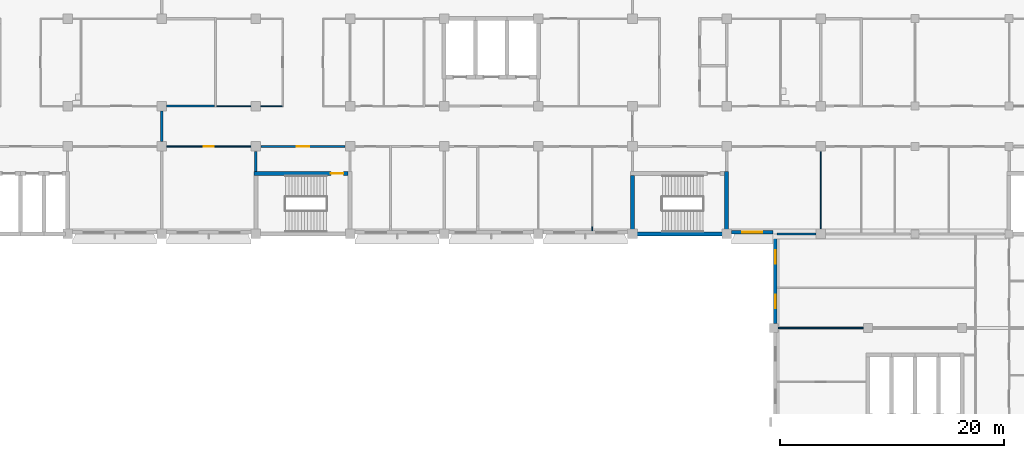
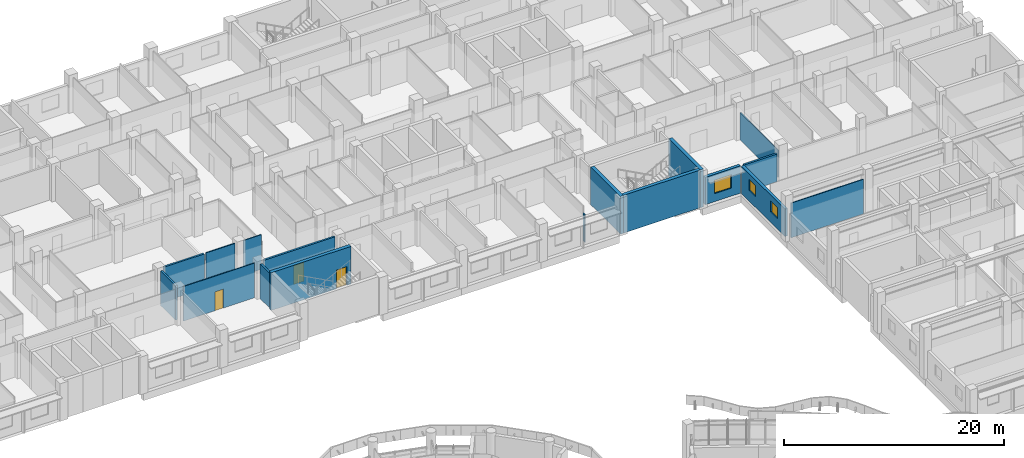
# One storey, part 62 of 109: 17 walls, 3 doors, 3 windows, 6 openings.
"""IFC4 building model written with IfcOpenShell, lengths in metres."""

from ifc_helpers import new_model, si_unit, direction, frame, frame_2d, origin, place, context, subcontext, project, spatial, rectangle, extrude, material, layer, layer_set, type_object, element, fill, save


model = new_model("IFC4")

# Units and contexts
model_context = context("Model", 3, precision=1e-05, world=origin(), true_north=direction((0.0, 1.0)))
body_context = subcontext(model_context, "Body", "Model", "MODEL_VIEW")
ifc_project = project(units=[si_unit("LENGTHUNIT", "METRE"), si_unit("AREAUNIT", "SQUARE_METRE"), si_unit("VOLUMEUNIT", "CUBIC_METRE"), si_unit("PLANEANGLEUNIT", "RADIAN"), si_unit("MASSUNIT", "GRAM", prefix="KILO")], contexts=[model_context])

# Site, building, storey
site_placement = place(None, origin())
site = spatial("IfcSite", under=ifc_project, at=site_placement, CompositionType="ELEMENT")
building_placement = place(site_placement, origin())
building = spatial("IfcBuilding", under=site, at=building_placement, Name="Bougainvillea Quay General Hospital", CompositionType="ELEMENT")
storey_placement = place(building_placement, frame((0.0, 0.0, 12.60009765625)))
storey = spatial("IfcBuildingStorey", under=building, at=storey_placement, Name="L02", CompositionType="ELEMENT", Elevation=12.60009765625)

# Wall, openings, windows
ifc_material_1 = material(Name="Pale stone rainscreen cladding on insulated masonry backing, pale stone", Category="masonry")
ifc_layer_1 = layer(ifc_material_1, 0.300048828125)
ifc_layer_set_1 = layer_set([ifc_layer_1], Name="Pale stone rainscreen cladding on insulated masonry backing, pale stone")
wall_type_1 = type_object("IfcWallType", Name="External wall pale stone rainscreen 300", PredefinedType="STANDARD", material=ifc_layer_set_1)
wall_1_placement = place(storey_placement, frame((163.949951171875, 117.5400390625, 0.0), z_axis=(0.0, 0.0, 1.0), x_axis=(0.0, -1.0, 0.0)))
wall_1 = element("IfcWall", 1, at=wall_1_placement, inside=storey, type_object=wall_type_1, Name="External wall wall/V3/L02/p0/00a", PredefinedType="STANDARD", context=body_context, shape_type="SweptSolid", body=[
    extrude(rectangle(XDim=7.93994140625, YDim=0.300048828125, at=frame_2d((3.969970703125, 0.0))), origin(), (0.0, 0.0, 1.0), 3.0498046875),
])
opening_1_placement = place(wall_1_placement, frame((1.385009765625, 0.0, 1.199951171875)))
opening_1 = element("IfcOpeningElement", 2, at=opening_1_placement, cuts=wall_1, Name="Opening W2", PredefinedType="OPENING", context=body_context, shape_type="SweptSolid", body=[
    extrude(rectangle(XDim=1.199951171875, YDim=1.199951171875, at=frame_2d((0.60009765625, 0.60009765625))), frame((0.0, 0.159912109375, 0.0), z_axis=(0.0, -1.0, 0.0), x_axis=(1.0, 0.0, 0.0)), (0.0, 0.0, 1.0), 0.320068359375),
])
opening_2_placement = place(wall_1_placement, frame((5.35498046875, 0.0, 1.199951171875)))
opening_2 = element("IfcOpeningElement", 3, at=opening_2_placement, cuts=wall_1, Name="Opening W2", PredefinedType="OPENING", context=body_context, shape_type="SweptSolid", body=[
    extrude(rectangle(XDim=1.199951171875, YDim=1.199951171875, at=frame_2d((0.60009765625, 0.60009765625))), frame((0.0, 0.159912109375, 0.0), z_axis=(0.0, -1.0, 0.0), x_axis=(1.0, 0.0, 0.0)), (0.0, 0.0, 1.0), 0.320068359375),
])
ifc_material_2 = material(Name="Aluminium window frame with low-e double glazed unit", Category="aluminium")
window_type_1 = type_object("IfcWindowType", Name="Window W2 1200x1200", PartitioningType="SINGLE_PANEL", PredefinedType="WINDOW", material=ifc_material_2)
window_1_placement = place(opening_1_placement, origin())
window_1 = element("IfcWindow", 4, at=window_1_placement, inside=storey, type_object=window_type_1, Name="Window W2 1", OverallHeight=1.199951171875, OverallWidth=1.199951171875, PartitioningType="SINGLE_PANEL", PredefinedType="WINDOW", context=body_context, shape_type="SweptSolid", body=[
    extrude(rectangle(XDim=1.199951171875, YDim=1.199951171875, at=frame_2d((0.60009765625, 0.60009765625))), frame((0.0, 0.030029296875, 0.0), z_axis=(0.0, -1.0, 0.0), x_axis=(1.0, 0.0, 0.0)), (0.0, 0.0, 1.0), 0.06005859375),
])
fill(opening_1, window_1)
window_2_placement = place(opening_2_placement, origin())
window_2 = element("IfcWindow", 5, at=window_2_placement, inside=storey, type_object=window_type_1, Name="Window W2 2", OverallHeight=1.199951171875, OverallWidth=1.199951171875, PartitioningType="SINGLE_PANEL", PredefinedType="WINDOW", context=body_context, shape_type="SweptSolid", body=[
    extrude(rectangle(XDim=1.199951171875, YDim=1.199951171875, at=frame_2d((0.60009765625, 0.60009765625))), frame((0.0, 0.030029296875, 0.0), z_axis=(0.0, -1.0, 0.0), x_axis=(1.0, 0.0, 0.0)), (0.0, 0.0, 1.0), 0.06005859375),
])
fill(opening_2, window_2)

# Wall, opening, window
wall_2_placement = place(storey_placement, frame((160.050048828125, 117.75, 0.0), z_axis=(0.0, 0.0, 1.0), x_axis=(1.0, 0.0, 0.0)))
wall_2 = element("IfcWall", 6, at=wall_2_placement, inside=storey, type_object=wall_type_1, Name="External wall wall/V4/L02/p1/04f", PredefinedType="STANDARD", context=body_context, shape_type="SweptSolid", body=[
    extrude(rectangle(XDim=3.68994140625, YDim=0.300048828125, at=frame_2d((1.844970703125, 0.0))), origin(), (0.0, 0.0, 1.0), 3.0498046875),
])
opening_3_placement = place(wall_2_placement, frame((0.945068359375, 0.0, 0.89990234375)))
opening_3 = element("IfcOpeningElement", 7, at=opening_3_placement, cuts=wall_2, Name="Opening W1", PredefinedType="OPENING", context=body_context, shape_type="SweptSolid", body=[
    extrude(rectangle(XDim=1.800048828125, YDim=1.5, at=frame_2d((0.89990234375, 0.75))), frame((0.0, 0.159912109375, 0.0), z_axis=(0.0, -1.0, 0.0), x_axis=(1.0, 0.0, 0.0)), (0.0, 0.0, 1.0), 0.320068359375),
])
window_type_2 = type_object("IfcWindowType", Name="Window W1 1800x1500", PartitioningType="DOUBLE_PANEL_VERTICAL", PredefinedType="WINDOW", material=ifc_material_2)
window_3_placement = place(opening_3_placement, origin())
window_3 = element("IfcWindow", 8, at=window_3_placement, inside=storey, type_object=window_type_2, Name="Window W1 1", OverallHeight=1.5, OverallWidth=1.800048828125, PartitioningType="SINGLE_PANEL", PredefinedType="WINDOW", context=body_context, shape_type="SweptSolid", body=[
    extrude(rectangle(XDim=1.800048828125, YDim=1.5, at=frame_2d((0.89990234375, 0.75))), frame((0.0, 0.030029296875, 0.0), z_axis=(0.0, -1.0, 0.0), x_axis=(1.0, 0.0, 0.0)), (0.0, 0.0, 1.0), 0.06005859375),
])
fill(opening_3, window_3)

# Wall
ifc_material_3 = material(Name="Gypsum board partition on steel studs", Category="steel")
ifc_layer_2 = layer(ifc_material_3, 0.10009765625)
ifc_layer_set_2 = layer_set([ifc_layer_2], Name="Gypsum board partition on steel studs")
wall_type_2 = type_object("IfcWallType", Name="Partition 100 Gypsum board partition", PredefinedType="PARTITIONING", material=ifc_layer_set_2)
wall_3_placement = place(storey_placement, frame((164.199951171875, 109.199951171875, 0.0), z_axis=(0.0, 0.0, 1.0), x_axis=(1.0, 0.0, 0.0)))
element("IfcWall", 9, at=wall_3_placement, inside=storey, type_object=wall_type_2, Name="Partition 100 mm", PredefinedType="PARTITIONING", context=body_context, shape_type="SweptSolid", body=[
    extrude(rectangle(XDim=7.60009765625, YDim=0.10009765625, at=frame_2d((3.800048828125, 0.0))), origin(), (0.0, 0.0, 1.0), 3.849853515625),
])

# Wall, opening, door
wall_4_placement = place(storey_placement, frame((109.64990234375, 125.39990234375, 0.0), z_axis=(0.0, 0.0, 1.0), x_axis=(1.0, 0.0, 0.0)))
wall_4 = element("IfcWall", 10, at=wall_4_placement, inside=storey, type_object=wall_type_2, Name="Partition 100 mm", PredefinedType="PARTITIONING", context=body_context, shape_type="SweptSolid", body=[
    extrude(rectangle(XDim=7.5, YDim=0.10009765625, at=frame_2d((3.75, 0.0))), origin(), (0.0, 0.0, 1.0), 3.849853515625),
])
opening_4_placement = place(wall_4_placement, frame((3.299072265625, 0.0, 0.0)))
opening_4 = element("IfcOpeningElement", 11, at=opening_4_placement, cuts=wall_4, Name="Opening L02.098", PredefinedType="OPENING", context=body_context, shape_type="SweptSolid", body=[
    extrude(rectangle(XDim=0.89990234375, YDim=2.10009765625, at=frame_2d((0.449951171875, 1.050048828125))), frame((0.0, 0.06005859375, 0.0), z_axis=(0.0, -1.0, 0.0), x_axis=(1.0, 0.0, 0.0)), (0.0, 0.0, 1.0), 0.1201171875),
])
ifc_material_4 = material(Name="Solid-core timber door leaf in steel frame", Category="steel")
door_type_1 = type_object("IfcDoorType", Name="Single leaf door 900x2100", OperationType="NOTDEFINED", PredefinedType="DOOR", material=ifc_material_4)
door_1_placement = place(opening_4_placement, frame((0.89990234375, 0.0, 0.0), z_axis=(0.0, 0.0, 1.0), x_axis=(-1.0, 0.0, 0.0)))
door_1 = element("IfcDoor", 12, at=door_1_placement, inside=storey, type_object=door_type_1, Name="DT07 L02.098", OperationType="SINGLE_SWING_RIGHT", OverallHeight=2.10009765625, OverallWidth=0.89990234375, PredefinedType="DOOR", context=body_context, shape_type="SweptSolid", body=[
    extrude(rectangle(XDim=0.89990234375, YDim=2.10009765625, at=frame_2d((0.449951171875, 1.050048828125))), frame((0.0, 0.02490234375, 0.0), z_axis=(0.0, -1.0, 0.0), x_axis=(1.0, 0.0, 0.0)), (0.0, 0.0, 1.0), 0.050048828125),
])
fill(opening_4, door_1)

# Walls
wall_5_placement = place(storey_placement, frame((147.60009765625, 117.89990234375, 0.0), z_axis=(0.0, 0.0, 1.0), x_axis=(0.0, 1.0, 0.0)))
element("IfcWall", 13, at=wall_5_placement, inside=storey, type_object=wall_type_2, Name="Partition 100 mm", PredefinedType="PARTITIONING", context=body_context, shape_type="SweptSolid", body=[
    extrude(rectangle(XDim=0.35009765625, YDim=0.10009765625, at=frame_2d((0.175048828125, 0.0))), origin(), (0.0, 0.0, 1.0), 3.079833984375),
])
wall_6_placement = place(storey_placement, frame((168.0, 118.050048828125, 0.0), z_axis=(0.0, 0.0, 1.0), x_axis=(0.0, 1.0, 0.0)))
element("IfcWall", 14, at=wall_6_placement, inside=storey, type_object=wall_type_2, Name="Partition 100 mm", PredefinedType="PARTITIONING", context=body_context, shape_type="SweptSolid", body=[
    extrude(rectangle(XDim=6.89990234375, YDim=0.10009765625, at=frame_2d((3.449951171875, 0.0))), origin(), (0.0, 0.0, 1.0), 3.02978515625),
])
wall_7_placement = place(storey_placement, frame((114.10009765625, 129.0, 0.0), z_axis=(0.0, 0.0, 1.0), x_axis=(1.0, 0.0, 0.0)))
element("IfcWall", 15, at=wall_7_placement, inside=storey, type_object=wall_type_2, Name="Partition 100 mm", PredefinedType="PARTITIONING", context=body_context, shape_type="SweptSolid", body=[
    extrude(rectangle(XDim=3.0498046875, YDim=0.10009765625, at=frame_2d((1.52490234375, 0.0))), origin(), (0.0, 0.0, 1.0), 3.849853515625),
])
wall_8_placement = place(storey_placement, frame((118.050048828125, 129.0, 0.0), z_axis=(0.0, 0.0, 1.0), x_axis=(1.0, 0.0, 0.0)))
element("IfcWall", 16, at=wall_8_placement, inside=storey, type_object=wall_type_2, Name="Partition 100 mm", PredefinedType="PARTITIONING", context=body_context, shape_type="SweptSolid", body=[
    extrude(rectangle(XDim=1.89990234375, YDim=0.10009765625, at=frame_2d((0.949951171875, 0.0))), origin(), (0.0, 0.0, 1.0), 3.849853515625),
])
ifc_material_5 = material(Name="Fire-rated autoclaved aerated block wall, plastered")
ifc_layer_3 = layer(ifc_material_5, 0.199951171875)
ifc_layer_set_3 = layer_set([ifc_layer_3], Name="Fire-rated autoclaved aerated block wall, plastered")
wall_type_3 = type_object("IfcWallType", Name="Partition 200 Fire-rated autoclaved aerated block wall EI 120", PredefinedType="SOLIDWALL", material=ifc_layer_set_3)
wall_9_placement = place(storey_placement, frame((167.550048828125, 117.60009765625, 0.0), z_axis=(0.0, 0.0, 1.0), x_axis=(-1.0, 0.0, 0.0)))
element("IfcWall", 17, at=wall_9_placement, inside=storey, type_object=wall_type_3, Name="Partition 200 mm EI 120", PredefinedType="SOLIDWALL", context=body_context, shape_type="SweptSolid", body=[
    extrude(rectangle(XDim=3.449951171875, YDim=0.199951171875, at=frame_2d((1.72509765625, 0.0))), origin(), (0.0, 0.0, 1.0), 3.079833984375),
])

# Wall, opening, door
wall_10_placement = place(storey_placement, frame((118.050048828125, 125.39990234375, 0.0), z_axis=(0.0, 0.0, 1.0), x_axis=(1.0, 0.0, 0.0)))
wall_10 = element("IfcWall", 18, at=wall_10_placement, inside=storey, type_object=wall_type_3, Name="Partition 200 mm EI 120", PredefinedType="SOLIDWALL", context=body_context, shape_type="SweptSolid", body=[
    extrude(rectangle(XDim=7.5, YDim=0.199951171875, at=frame_2d((3.75, 0.0))), origin(), (0.0, 0.0, 1.0), 3.849853515625),
])
opening_5_placement = place(wall_10_placement, frame((3.199951171875, 0.0, 0.0)))
opening_5 = element("IfcOpeningElement", 19, at=opening_5_placement, cuts=wall_10, Name="Opening L02.037", PredefinedType="OPENING", context=body_context, shape_type="SweptSolid", body=[
    extrude(rectangle(XDim=1.10009765625, YDim=2.10009765625, at=frame_2d((0.550048828125, 1.050048828125))), frame((0.0, 0.10986328125, 0.0), z_axis=(0.0, -1.0, 0.0), x_axis=(1.0, 0.0, 0.0)), (0.0, 0.0, 1.0), 0.219970703125),
])
ifc_material_6 = material(Name="Steel fire door leaf in steel frame", Category="steel")
door_type_2 = type_object("IfcDoorType", Name="Steel single leaf door 1100x2100 FD60", OperationType="NOTDEFINED", PredefinedType="DOOR", material=ifc_material_6)
door_2_placement = place(opening_5_placement, frame((1.10009765625, 0.0, 0.0), z_axis=(0.0, 0.0, 1.0), x_axis=(-1.0, 0.0, 0.0)))
door_2 = element("IfcDoor", 20, at=door_2_placement, inside=storey, type_object=door_type_2, Name="DT04 L02.037", OperationType="SINGLE_SWING_LEFT", OverallHeight=2.10009765625, OverallWidth=1.10009765625, PredefinedType="DOOR", context=body_context, shape_type="SweptSolid", body=[
    extrude(rectangle(XDim=1.10009765625, YDim=2.10009765625, at=frame_2d((0.550048828125, 1.050048828125))), frame((0.0, 0.02490234375, 0.0), z_axis=(0.0, -1.0, 0.0), x_axis=(1.0, 0.0, 0.0)), (0.0, 0.0, 1.0), 0.050048828125),
])
fill(opening_5, door_2)

# Walls
wall_11_placement = place(storey_placement, frame((109.64990234375, 129.0, 0.0), z_axis=(0.0, 0.0, 1.0), x_axis=(1.0, 0.0, 0.0)))
element("IfcWall", 21, at=wall_11_placement, inside=storey, type_object=wall_type_3, Name="Partition 200 mm EI 120", PredefinedType="SOLIDWALL", context=body_context, shape_type="SweptSolid", body=[
    extrude(rectangle(XDim=4.25, YDim=0.199951171875, at=frame_2d((2.125, 0.0))), origin(), (0.0, 0.0, 1.0), 3.849853515625),
])
wall_12_placement = place(storey_placement, frame((109.199951171875, 125.85009765625, 0.0), z_axis=(0.0, 0.0, 1.0), x_axis=(0.0, 1.0, 0.0)))
element("IfcWall", 22, at=wall_12_placement, inside=storey, type_object=wall_type_3, Name="Partition 200 mm EI 120", PredefinedType="SOLIDWALL", context=body_context, shape_type="SweptSolid", body=[
    extrude(rectangle(XDim=2.699951171875, YDim=0.199951171875, at=frame_2d((1.35009765625, 0.0))), origin(), (0.0, 0.0, 1.0), 3.849853515625),
])
wall_13_placement = place(storey_placement, frame((117.60009765625, 123.175048828125, 0.0), z_axis=(0.0, 0.0, 1.0), x_axis=(0.0, 1.0, 0.0)))
element("IfcWall", 23, at=wall_13_placement, inside=storey, type_object=wall_type_3, Name="Partition 200 mm EI 120", PredefinedType="SOLIDWALL", context=body_context, shape_type="SweptSolid", body=[
    extrude(rectangle(XDim=1.77490234375, YDim=0.199951171875, at=frame_2d((0.887451171875, 0.0))), origin(), (0.0, 0.0, 1.0), 3.849853515625),
])

# Wall, opening, door
ifc_material_7 = material(Name="Concrete C40", Category="concrete")
ifc_layer_4 = layer(ifc_material_7, 0.35009765625)
ifc_layer_set_4 = layer_set([ifc_layer_4], Name="Concrete C40")
wall_type_4 = type_object("IfcWallType", Name="RC SHEAR WALL 350 C40", PredefinedType="SHEAR", material=ifc_layer_set_4)
wall_14_placement = place(storey_placement, frame((117.425048828125, 123.0, 0.0), z_axis=(0.0, 0.0, 1.0), x_axis=(1.0, 0.0, 0.0)))
wall_14 = element("IfcWall", 24, at=wall_14_placement, inside=storey, type_object=wall_type_4, Name="Shear wall L02", PredefinedType="SHEAR", context=body_context, shape_type="SweptSolid", body=[
    extrude(rectangle(XDim=8.39990234375, YDim=0.35009765625, at=frame_2d((4.199951171875, 0.0))), origin(), (0.0, 0.0, 1.0), 4.199951171875),
])
opening_6_placement = place(wall_14_placement, frame((6.875, 0.0, 0.0)))
opening_6 = element("IfcOpeningElement", 25, at=opening_6_placement, cuts=wall_14, Name="Opening L02.023", PredefinedType="OPENING", context=body_context, shape_type="SweptSolid", body=[
    extrude(rectangle(XDim=1.10009765625, YDim=2.10009765625, at=frame_2d((0.550048828125, 1.050048828125))), frame((0.0, 0.18505859375, 0.0), z_axis=(0.0, -1.0, 0.0), x_axis=(1.0, 0.0, 0.0)), (0.0, 0.0, 1.0), 0.3701171875),
])
door_3_placement = place(opening_6_placement, frame((1.10009765625, 0.0, 0.0), z_axis=(0.0, 0.0, 1.0), x_axis=(-1.0, 0.0, 0.0)))
door_3 = element("IfcDoor", 26, at=door_3_placement, inside=storey, type_object=door_type_2, Name="DT04 L02.023", OperationType="SINGLE_SWING_LEFT", OverallHeight=2.10009765625, OverallWidth=1.10009765625, PredefinedType="DOOR", context=body_context, shape_type="SweptSolid", body=[
    extrude(rectangle(XDim=1.10009765625, YDim=2.10009765625, at=frame_2d((0.550048828125, 1.050048828125))), frame((0.0, 0.02490234375, 0.0), z_axis=(0.0, -1.0, 0.0), x_axis=(1.0, 0.0, 0.0)), (0.0, 0.0, 1.0), 0.050048828125),
])
fill(opening_6, door_3)

# Walls
wall_15_placement = place(storey_placement, frame((151.199951171875, 117.425048828125, 0.0), z_axis=(0.0, 0.0, 1.0), x_axis=(0.0, 1.0, 0.0)))
element("IfcWall", 27, at=wall_15_placement, inside=storey, type_object=wall_type_4, Name="Shear wall L02", PredefinedType="SHEAR", context=body_context, shape_type="SweptSolid", body=[
    extrude(rectangle(XDim=5.39990234375, YDim=0.35009765625, at=frame_2d((2.699951171875, 0.0))), origin(), (0.0, 0.0, 1.0), 4.199951171875),
])
wall_16_placement = place(storey_placement, frame((151.375, 117.60009765625, 0.0), z_axis=(0.0, 0.0, 1.0), x_axis=(1.0, 0.0, 0.0)))
element("IfcWall", 28, at=wall_16_placement, inside=storey, type_object=wall_type_4, Name="Shear wall L02", PredefinedType="SHEAR", context=body_context, shape_type="SweptSolid", body=[
    extrude(rectangle(XDim=8.050048828125, YDim=0.35009765625, at=frame_2d((4.02490234375, 0.0))), origin(), (0.0, 0.0, 1.0), 4.199951171875),
])
wall_17_placement = place(storey_placement, frame((159.60009765625, 117.425048828125, 0.0), z_axis=(0.0, 0.0, 1.0), x_axis=(0.0, 1.0, 0.0)))
element("IfcWall", 29, at=wall_17_placement, inside=storey, type_object=wall_type_4, Name="Shear wall L02", PredefinedType="SHEAR", context=body_context, shape_type="SweptSolid", body=[
    extrude(rectangle(XDim=5.75, YDim=0.35009765625, at=frame_2d((2.875, 0.0))), origin(), (0.0, 0.0, 1.0), 4.199951171875),
])

save(model, "model.ifc")
